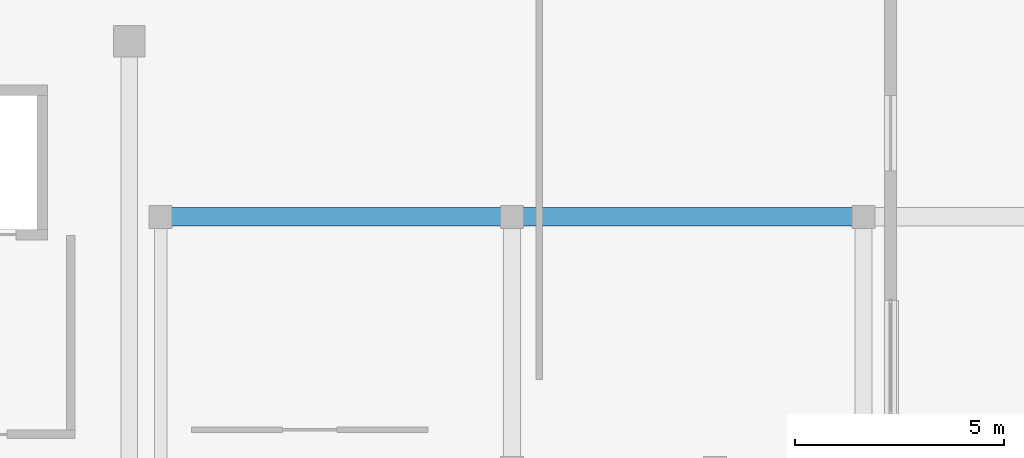
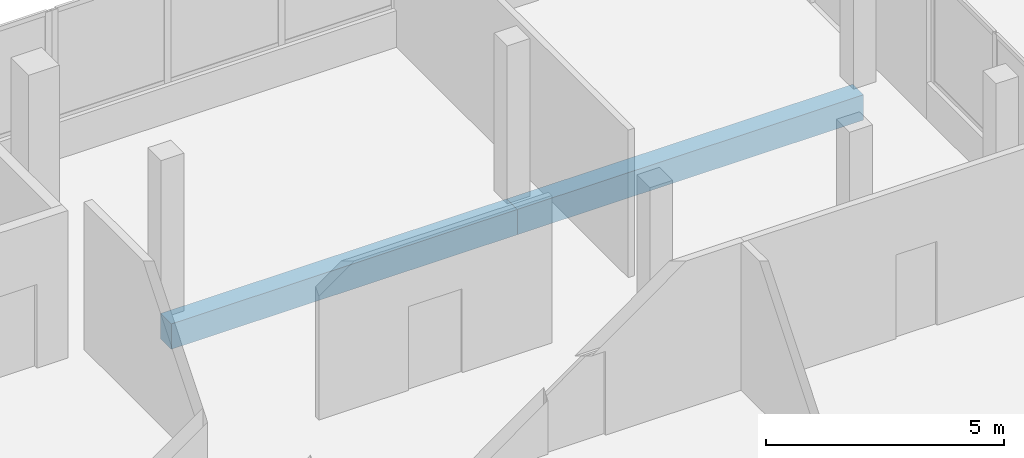
# One storey, part 46 of 66: 2 beams.
"""IFC4 building model written with IfcOpenShell, lengths in metres."""

from ifc_helpers import new_model, si_unit, direction, frame, origin, origin_2d, place, context, subcontext, project, spatial, rectangle, extrude, material, material_profile, profile_set, type_object, element, save


model = new_model("IFC4")

# Units and contexts
model_context = context("Model", 3, precision=1e-05, world=origin(), true_north=direction((0.0, 1.0)))
body_context = subcontext(model_context, "Body", "Model", "MODEL_VIEW")
ifc_project = project(units=[si_unit("LENGTHUNIT", "METRE"), si_unit("AREAUNIT", "SQUARE_METRE"), si_unit("VOLUMEUNIT", "CUBIC_METRE"), si_unit("PLANEANGLEUNIT", "RADIAN"), si_unit("MASSUNIT", "GRAM", prefix="KILO")], contexts=[model_context])

# Site, building, storey
site_placement = place(None, origin())
site = spatial("IfcSite", under=ifc_project, at=site_placement, CompositionType="ELEMENT")
building_placement = place(site_placement, origin())
building = spatial("IfcBuilding", under=site, at=building_placement, Name="Selatvlak General Hospital", CompositionType="ELEMENT")
storey_placement = place(building_placement, frame((0.0, 0.0, 31.35009765625)))
storey = spatial("IfcBuildingStorey", under=building, at=storey_placement, Name="L07", CompositionType="ELEMENT", Elevation=31.35009765625)

# Beams
ifc_material = material(Name="Concrete C40/50", Category="concrete")
ifc_material_profile = material_profile(ifc_material, rectangle(XDim=0.449951171875, YDim=0.64990234375, at=origin_2d()), Name="RC-BM 450x650")
ifc_profile_set = profile_set([ifc_material_profile], Name="Concrete C40/50")
beam_type = type_object("IfcBeamType", Name="BM-G04", PredefinedType="BEAM", material=ifc_profile_set)
beam_1_placement = place(storey_placement, frame((148.14990234375, 114.0, -0.59521484375), z_axis=(1.0, 0.0, 0.0), x_axis=(0.0, 1.0, 0.0)))
element("IfcBeam", 1, at=beam_1_placement, inside=storey, type_object=beam_type, Name="Beam BMR-L07-2445", PredefinedType="BEAM", context=body_context, shape_type="SweptSolid", body=[
    extrude(rectangle(XDim=0.449951171875, YDim=0.64990234375, at=origin_2d()), origin(), (0.0, 0.0, 1.0), 8.400146484375),
])
beam_2_placement = place(storey_placement, frame((156.550048828125, 114.0, -0.59521484375), z_axis=(1.0, 0.0, 0.0), x_axis=(0.0, 1.0, 0.0)))
element("IfcBeam", 2, at=beam_2_placement, inside=storey, type_object=beam_type, Name="Beam BMR-L07-2446", PredefinedType="BEAM", context=body_context, shape_type="SweptSolid", body=[
    extrude(rectangle(XDim=0.449951171875, YDim=0.64990234375, at=origin_2d()), origin(), (0.0, 0.0, 1.0), 8.39990234375),
])

save(model, "model.ifc")
